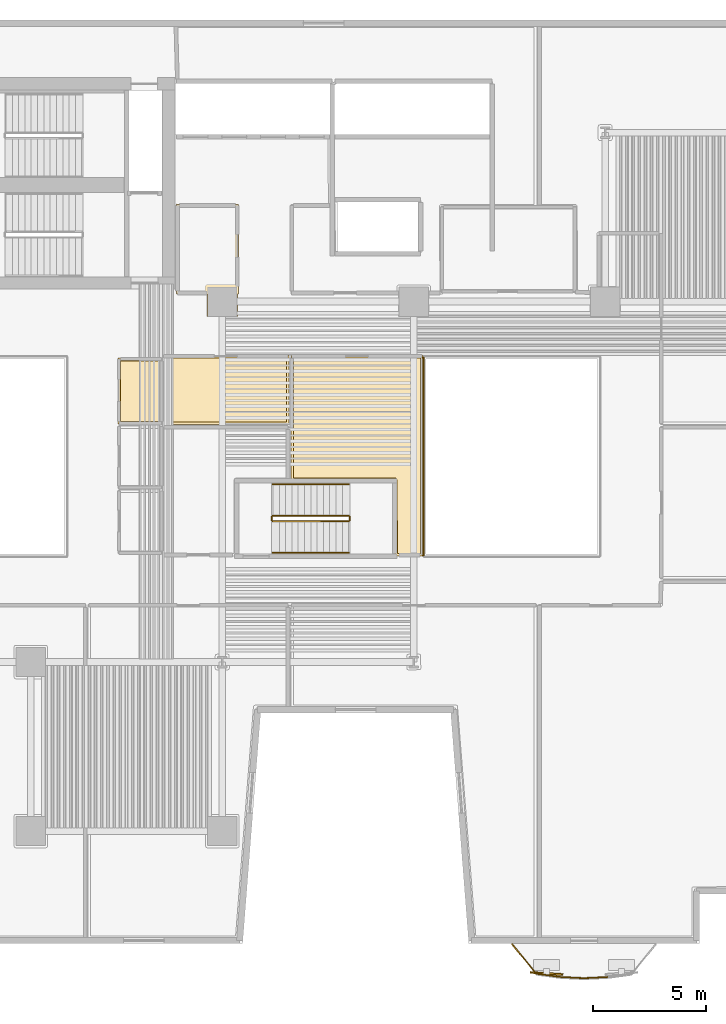
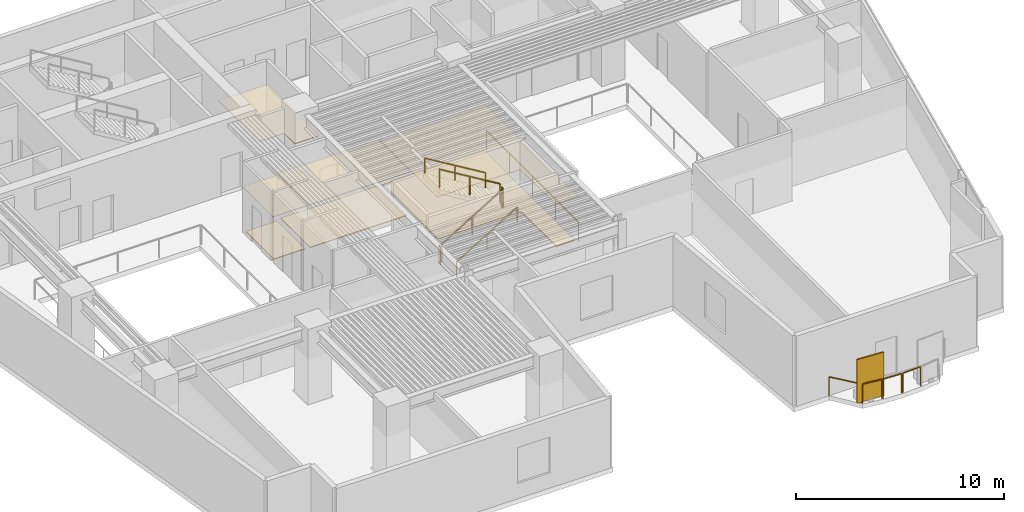
# One storey, part 9 of 12: 11 railings, 7 coverings, 1 shading device.
"""IFC4 building model written with IfcOpenShell, lengths in metres."""

from ifc_helpers import new_model, si_unit, direction, frame, origin, origin_2d, place, context, subcontext, project, spatial, polyline, rectangle, outline, extrude, material, layer, layer_set, type_object, element, save


model = new_model("IFC4")

# Units and contexts
model_context = context("Model", 3, precision=1e-05, world=origin(), true_north=direction((0.0, 1.0)))
body_context = subcontext(model_context, "Body", "Model", "MODEL_VIEW")
ifc_project = project(units=[si_unit("LENGTHUNIT", "METRE"), si_unit("AREAUNIT", "SQUARE_METRE"), si_unit("VOLUMEUNIT", "CUBIC_METRE"), si_unit("PLANEANGLEUNIT", "RADIAN"), si_unit("MASSUNIT", "GRAM", prefix="KILO")], contexts=[model_context])

# Site, building, storey
site_placement = place(None, origin())
site = spatial("IfcSite", under=ifc_project, at=site_placement, CompositionType="ELEMENT")
building_placement = place(site_placement, origin())
building = spatial("IfcBuilding", under=site, at=building_placement, Name="Caeloran Harvest Quay", CompositionType="ELEMENT")
storey_placement = place(building_placement, frame((0.0, 0.0, 79.800048828125)))
storey = spatial("IfcBuildingStorey", under=building, at=storey_placement, Name="L18", CompositionType="ELEMENT", Elevation=79.800048828125)

# Coverings
ifc_material_1 = material(Name="Perforated Mineral-Fibre Acoustic Ceiling Tile", Category="ceiling")
ifc_layer_1 = layer(ifc_material_1, 0.0400390625, Name="Perforated Mineral-Fibre Acoustic Ceiling Tile")
ifc_layer_set_1 = layer_set([ifc_layer_1], Name="Perforated Mineral-Fibre Acoustic Ceiling Tile")
covering_type_1 = type_object("IfcCoveringType", Name="COV-CEILING-ACOUSTIC", PredefinedType="CEILING", material=ifc_layer_set_1)
covering_1_placement = place(storey_placement, frame((0.0, 0.0, 2.599853515625)))
element("IfcCovering", 1, at=covering_1_placement, inside=storey, type_object=covering_type_1, Name="L18 Male Washroom WC Acoustic Ceiling", PredefinedType="CEILING", context=body_context, shape_type="SweptSolid", body=[
    extrude(outline(polyline([(22.840087890625, 25.56005859375), (20.8701171875, 25.56005859375), (20.8701171875, 28.489990234375), (22.840087890625, 28.489990234375), (22.840087890625, 25.56005859375)])), origin(), (0.0, 0.0, 1.0), 0.0400390625),
])
covering_2_placement = place(storey_placement, frame((0.0, 0.0, 2.599853515625)))
element("IfcCovering", 2, at=covering_2_placement, inside=storey, type_object=covering_type_1, Name="Culinary Harvest Tasting Kitchen 8 Acoustic Ceiling", PredefinedType="CEILING", context=body_context, shape_type="SweptSolid", body=[
    extrude(outline(polyline([(28.5400390625, 28.610107421875), (34.409912109375, 28.610107421875), (34.409912109375, 19.7099609375), (33.160400390625, 19.7099609375), (33.13037109375, 23.06005859375), (28.5400390625, 23.06005859375), (28.5400390625, 28.610107421875)])), origin(), (0.0, 0.0, 1.0), 0.0400390625),
])
covering_3_placement = place(storey_placement, frame((0.0, 0.0, 2.599853515625)))
element("IfcCovering", 3, at=covering_3_placement, inside=storey, type_object=covering_type_1, Name="Botanical Workshop Studio 9 Acoustic Ceiling", PredefinedType="CEILING", context=body_context, shape_type="SweptSolid", body=[
    extrude(outline(polyline([(22.8701171875, 28.512939453125), (22.85009765625, 28.52001953125), (22.85009765625, 28.610107421875), (28.4599609375, 28.610107421875), (28.4599609375, 25.5400390625), (22.8701171875, 25.5400390625), (22.8701171875, 28.512939453125)])), origin(), (0.0, 0.0, 1.0), 0.0400390625),
])
covering_4_placement = place(storey_placement, frame((0.0, 0.0, 2.599853515625)))
element("IfcCovering", 4, at=covering_4_placement, inside=storey, type_object=covering_type_1, Name="Sensory Fermentation Kitchen 10 Acoustic Ceiling", PredefinedType="CEILING", context=body_context, shape_type="SweptSolid", body=[
    extrude(outline(polyline([(26.169921875, 30.330078125), (24.830078125, 30.330078125), (24.830078125, 31.340087890625), (23.469970703125, 31.340087890625), (23.469970703125, 35.32861328125), (23.521728515625, 35.31005859375), (26.2099609375, 35.31005859375), (26.2099609375, 31.340087890625), (26.169921875, 31.340087890625), (26.169921875, 30.330078125)])), origin(), (0.0, 0.0, 1.0), 0.0400390625),
])
ifc_material_2 = material(Name="Calcium-Sulphate Raised Access Floor and Terrazzo Finish", Category="flooring")
ifc_layer_2 = layer(ifc_material_2, 0.050048828125, Name="Calcium-Sulphate Raised Access Floor and Terrazzo Finish")
ifc_layer_set_2 = layer_set([ifc_layer_2], Name="Calcium-Sulphate Raised Access Floor and Terrazzo Finish")
covering_type_2 = type_object("IfcCoveringType", Name="COV-FLOOR-RAISED", PredefinedType="FLOORING", material=ifc_layer_set_2)
covering_5_placement = place(storey_placement, origin())
element("IfcCovering", 5, at=covering_5_placement, inside=storey, type_object=covering_type_2, Name="L18 Male Washroom WC Raised Finish Flooring", PredefinedType="FLOORING", context=body_context, shape_type="SweptSolid", body=[
    extrude(outline(polyline([(22.719970703125, 25.679931640625), (20.989990234375, 25.679931640625), (20.989990234375, 28.3701171875), (22.719970703125, 28.3701171875), (22.719970703125, 25.679931640625)])), origin(), (0.0, 0.0, 1.0), 0.050048828125),
])
covering_6_placement = place(storey_placement, origin())
element("IfcCovering", 6, at=covering_6_placement, inside=storey, type_object=covering_type_2, Name="Culinary Harvest Tasting Kitchen 8 Raised Finish Flooring", PredefinedType="FLOORING", context=body_context, shape_type="SweptSolid", body=[
    extrude(outline(polyline([(28.659912109375, 28.489990234375), (34.2900390625, 28.489990234375), (34.2900390625, 19.830078125), (33.279296875, 19.830078125), (33.25, 23.1005859375), (33.20751953125, 23.170654296875), (28.659912109375, 23.179931640625), (28.659912109375, 28.489990234375)])), origin(), (0.0, 0.0, 1.0), 0.050048828125),
])
covering_7_placement = place(storey_placement, origin())
element("IfcCovering", 7, at=covering_7_placement, inside=storey, type_object=covering_type_2, Name="Botanical Workshop Studio 9 Raised Finish Flooring", PredefinedType="FLOORING", context=body_context, shape_type="SweptSolid", body=[
    extrude(outline(polyline([(22.989990234375, 28.489990234375), (28.340087890625, 28.489990234375), (28.340087890625, 25.659912109375), (22.989990234375, 25.659912109375), (22.989990234375, 28.489990234375)])), origin(), (0.0, 0.0, 1.0), 0.050048828125),
])

# Railings
ifc_material_3 = material(Name="Powder-Coated Steel Post and Laminated Glass Guardrail", Category="steel")
ifc_layer_3 = layer(ifc_material_3, 0.06005859375, Name="Powder-Coated Steel Post and Laminated Glass Guardrail")
ifc_layer_set_3 = layer_set([ifc_layer_3], Name="Powder-Coated Steel Post and Laminated Glass Guardrail")
railing_type_1 = type_object("IfcRailingType", Name="GUARD-ATRIUM-1150", PredefinedType="GUARDRAIL", material=ifc_layer_set_3)
railing_1_placement = place(storey_placement, frame((34.429931640625, 28.5380859375, 0.0)))
element("IfcRailing", 8, at=railing_1_placement, inside=storey, type_object=railing_type_1, Name="L18 East Botanical Lightwell Guardrail Seg 4", PredefinedType="GUARDRAIL", context=body_context, shape_type="SweptSolid", body=[
    extrude(rectangle(XDim=0.048095703125, YDim=0.048095703125, at=origin_2d()), frame((0.0, 0.0, 1.1259765625), z_axis=(0.0, -1.0, 0.0), x_axis=(1.0, 0.0, 0.0)), (0.0, 0.0, 1.0), 8.826171875),
    extrude(rectangle(XDim=0.0419921875, YDim=0.0419921875, at=origin_2d()), origin(), (0.0, 0.0, 1.0), 1.101806640625),
    extrude(rectangle(XDim=0.0419921875, YDim=0.0419921875, at=origin_2d()), frame((0.0, -2.20654296875, 0.0)), (0.0, 0.0, 1.0), 1.101806640625),
    extrude(rectangle(XDim=0.0419921875, YDim=0.0419921875, at=origin_2d()), frame((0.0, -4.4130859375, 0.0)), (0.0, 0.0, 1.0), 1.101806640625),
    extrude(rectangle(XDim=0.0419921875, YDim=0.0419921875, at=origin_2d()), frame((0.0, -6.61962890625, 0.0)), (0.0, 0.0, 1.0), 1.101806640625),
    extrude(rectangle(XDim=0.0419921875, YDim=0.0419921875, at=origin_2d()), frame((0.0, -8.826171875, 0.0)), (0.0, 0.0, 1.0), 1.101806640625),
])
ifc_material_4 = material(Name="Laminated Safety Glass and Stainless Steel 316", Category="steel")
ifc_layer_4 = layer(ifc_material_4, 0.06005859375, Name="Laminated Safety Glass and Stainless Steel 316")
ifc_layer_set_4 = layer_set([ifc_layer_4], Name="Laminated Safety Glass and Stainless Steel 316")
railing_type_2 = type_object("IfcRailingType", Name="GUARD-BALUSTRADE-1150", PredefinedType="BALUSTRADE", material=ifc_layer_set_4)
railing_2_placement = place(storey_placement, frame((42.5908203125, 1.02197265625, 0.0)))
element("IfcRailing", 9, at=railing_2_placement, inside=storey, type_object=railing_type_2, Name="L18 Planted Balcony Perimeter Balustrade Guard Seg 3", PredefinedType="BALUSTRADE", context=body_context, shape_type="SweptSolid", body=[
    extrude(rectangle(XDim=0.048095703125, YDim=0.048095703125, at=origin_2d()), frame((0.0, 0.0, 1.1259765625), z_axis=(-0.998738317733, -0.050217254931, 0.0), x_axis=(0.050217254931, -0.998738317733, 0.0)), (0.0, 0.0, 1.0), 1.00146484375),
    extrude(rectangle(XDim=0.0419921875, YDim=0.0419921875, at=origin_2d()), origin(), (0.0, 0.0, 1.0), 1.101806640625),
    extrude(rectangle(XDim=0.0419921875, YDim=0.0419921875, at=origin_2d()), frame((-1.000244140625, -0.05029296875, 0.0)), (0.0, 0.0, 1.0), 1.101806640625),
])
railing_3_placement = place(storey_placement, frame((41.526611328125, 0.9716796875, 0.0)))
element("IfcRailing", 10, at=railing_3_placement, inside=storey, type_object=railing_type_2, Name="L18 Planted Balcony Perimeter Balustrade Guard Seg 4", PredefinedType="BALUSTRADE", context=body_context, shape_type="SweptSolid", body=[
    extrude(rectangle(XDim=0.048095703125, YDim=0.048095703125, at=origin_2d()), frame((0.0, 0.0, 1.1259765625), z_axis=(-0.998738317733, 0.050217254931, 0.0), x_axis=(-0.050217254931, -0.998738317733, 0.0)), (0.0, 0.0, 1.0), 1.00146484375),
    extrude(rectangle(XDim=0.0419921875, YDim=0.0419921875, at=origin_2d()), origin(), (0.0, 0.0, 1.0), 1.101806640625),
    extrude(rectangle(XDim=0.0419921875, YDim=0.0419921875, at=origin_2d()), frame((-1.000244140625, 0.05029296875, 0.0)), (0.0, 0.0, 1.0), 1.101806640625),
])
railing_4_placement = place(storey_placement, frame((40.462646484375, 1.028076171875, 0.0)))
element("IfcRailing", 11, at=railing_4_placement, inside=storey, type_object=railing_type_2, Name="L18 Planted Balcony Perimeter Balustrade Guard Seg 5", PredefinedType="BALUSTRADE", context=body_context, shape_type="SweptSolid", body=[
    extrude(rectangle(XDim=0.048095703125, YDim=0.048095703125, at=origin_2d()), frame((0.0, 0.0, 1.1259765625), z_axis=(-0.99069880656, 0.136073049059, 0.0), x_axis=(-0.136073049059, -0.99069880656, 0.0)), (0.0, 0.0, 1.0), 1.010009765625),
    extrude(rectangle(XDim=0.0419921875, YDim=0.0419921875, at=origin_2d()), origin(), (0.0, 0.0, 1.0), 1.101806640625),
    extrude(rectangle(XDim=0.0419921875, YDim=0.0419921875, at=origin_2d()), frame((-1.000732421875, 0.137451171875, 0.0)), (0.0, 0.0, 1.0), 1.101806640625),
])
railing_5_placement = place(storey_placement, frame((39.409912109375, 1.19482421875, 0.0)))
element("IfcRailing", 12, at=railing_5_placement, inside=storey, type_object=railing_type_2, Name="L18 Planted Balcony Perimeter Balustrade Guard Seg 6", PredefinedType="BALUSTRADE", context=body_context, shape_type="SweptSolid", body=[
    extrude(rectangle(XDim=0.048095703125, YDim=0.048095703125, at=origin_2d()), frame((0.0, 0.0, 1.1259765625), z_axis=(-0.630503802953, 0.776186159669, 0.0), x_axis=(-0.776186159669, -0.630503802953, 0.0)), (0.0, 0.0, 1.0), 1.65576171875),
    extrude(rectangle(XDim=0.0419921875, YDim=0.0419921875, at=origin_2d()), origin(), (0.0, 0.0, 1.0), 1.101806640625),
    extrude(rectangle(XDim=0.0419921875, YDim=0.0419921875, at=origin_2d()), frame((-1.0439453125, 1.28515625, 0.0)), (0.0, 0.0, 1.0), 1.101806640625),
])

# Shading device
ifc_material_5 = material(Name="3003-H14 Perforated Powder-Coated Aluminium", Category="aluminium")
shading_device_type = type_object("IfcShadingDeviceType", Name="SHADE-SCREEN-FOLDED", PredefinedType="USERDEFINED", material=ifc_material_5)
shading_device_placement = place(storey_placement, frame((39.8984375, 1.179931640625, 0.07470703125), z_axis=(0.0, 0.0, 1.0), x_axis=(0.997801468292, -0.0662739004, 0.0)))
element("IfcShadingDevice", 13, at=shading_device_placement, inside=storey, type_object=shading_device_type, Name="L18 Folded Facade Breathing Screen 2", ObjectType="SCREEN", PredefinedType="USERDEFINED", context=body_context, shape_type="SweptSolid", body=[
    extrude(rectangle(XDim=1.449951171875, YDim=0.080078125, at=origin_2d()), origin(), (0.0, 0.0, 1.0), 2.550048828125),
])

# Railings
ifc_material_6 = material(Name="Painted Steel Baluster and Top-Rail Stair Guard", Category="steel")
ifc_layer_5 = layer(ifc_material_6, 0.050048828125, Name="Painted Steel Baluster and Top-Rail Stair Guard")
ifc_layer_set_5 = layer_set([ifc_layer_5], Name="Painted Steel Baluster and Top-Rail Stair Guard")
railing_type_3 = type_object("IfcRailingType", Name="STAIR-GUARD-1100", PredefinedType="GUARDRAIL", material=ifc_layer_set_5)
railing_6_placement = place(storey_placement, frame((27.75, 21.25, 0.169189453125)))
element("IfcRailing", 14, at=railing_6_placement, inside=storey, type_object=railing_type_3, Name="L18 ST-W1 stair guard 1", PredefinedType="GUARDRAIL", context=body_context, shape_type="SweptSolid", body=[
    extrude(rectangle(XDim=0.048095703125, YDim=0.048095703125, at=origin_2d()), frame((0.0, 0.0, 1.076171875), z_axis=(0.855836976705, 0.0, 0.517245656632), x_axis=(0.0, 1.0, 0.0)), (0.0, 0.0, 1.0), 3.926025390625),
    extrude(rectangle(XDim=0.0419921875, YDim=0.0419921875, at=origin_2d()), origin(), (0.0, 0.0, 1.0), 1.052001953125),
    extrude(rectangle(XDim=0.0419921875, YDim=0.0419921875, at=origin_2d()), frame((1.68017578125, 0.0, 1.015380859375)), (0.0, 0.0, 1.0), 1.052001953125),
    extrude(rectangle(XDim=0.0419921875, YDim=0.0419921875, at=origin_2d()), frame((3.360107421875, 0.0, 2.03076171875)), (0.0, 0.0, 1.0), 1.052001953125),
])
railing_7_placement = place(storey_placement, frame((31.159912109375, 21.300048828125, 2.199951171875)))
element("IfcRailing", 15, at=railing_7_placement, inside=storey, type_object=railing_type_3, Name="L18 ST-W1 stair guard 2", PredefinedType="GUARDRAIL", context=body_context, shape_type="SweptSolid", body=[
    extrude(rectangle(XDim=0.048095703125, YDim=0.048095703125, at=origin_2d()), frame((0.0, 0.0, 1.076171875), z_axis=(0.0, 1.0, 0.0), x_axis=(-1.0, 0.0, 0.0)), (0.0, 0.0, 1.0), 0.14990234375),
    extrude(rectangle(XDim=0.0419921875, YDim=0.0419921875, at=origin_2d()), origin(), (0.0, 0.0, 1.0), 1.052001953125),
    extrude(rectangle(XDim=0.0419921875, YDim=0.0419921875, at=origin_2d()), frame((0.0, 0.14990234375, 0.0)), (0.0, 0.0, 1.0), 1.052001953125),
])
railing_8_placement = place(storey_placement, frame((31.110107421875, 21.5, 2.369140625)))
element("IfcRailing", 16, at=railing_8_placement, inside=storey, type_object=railing_type_3, Name="L18 ST-W1 stair guard 3", PredefinedType="GUARDRAIL", context=body_context, shape_type="SweptSolid", body=[
    extrude(rectangle(XDim=0.048095703125, YDim=0.048095703125, at=origin_2d()), frame((0.0, 0.0, 1.076171875), z_axis=(-0.855836976705, 0.0, 0.517245656632), x_axis=(0.0, -1.0, 0.0)), (0.0, 0.0, 1.0), 3.926025390625),
    extrude(rectangle(XDim=0.0419921875, YDim=0.0419921875, at=origin_2d()), origin(), (0.0, 0.0, 1.0), 1.052001953125),
    extrude(rectangle(XDim=0.0419921875, YDim=0.0419921875, at=origin_2d()), frame((-1.68017578125, 0.0, 1.015380859375)), (0.0, 0.0, 1.0), 1.052001953125),
    extrude(rectangle(XDim=0.0419921875, YDim=0.0419921875, at=origin_2d()), frame((-3.360107421875, 0.0, 2.03076171875)), (0.0, 0.0, 1.0), 1.052001953125),
])
railing_9_placement = place(storey_placement, frame((27.699951171875, 21.300048828125, 0.0)))
element("IfcRailing", 17, at=railing_9_placement, inside=storey, type_object=railing_type_3, Name="L18 ST-W1 stair guard 4", PredefinedType="GUARDRAIL", context=body_context, shape_type="SweptSolid", body=[
    extrude(rectangle(XDim=0.048095703125, YDim=0.048095703125, at=origin_2d()), frame((0.0, 0.0, 1.076171875), z_axis=(0.0, 1.0, 0.0), x_axis=(-1.0, 0.0, 0.0)), (0.0, 0.0, 1.0), 0.14990234375),
    extrude(rectangle(XDim=0.0419921875, YDim=0.0419921875, at=origin_2d()), origin(), (0.0, 0.0, 1.0), 1.052001953125),
    extrude(rectangle(XDim=0.0419921875, YDim=0.0419921875, at=origin_2d()), frame((0.0, 0.14990234375, 0.0)), (0.0, 0.0, 1.0), 1.052001953125),
])
ifc_material_7 = material(Name="Brushed Stainless Steel Grade 304", Category="steel")
ifc_layer_6 = layer(ifc_material_7, 0.050048828125, Name="Brushed Stainless Steel Grade 304")
ifc_layer_set_6 = layer_set([ifc_layer_6], Name="Brushed Stainless Steel Grade 304")
railing_type_4 = type_object("IfcRailingType", Name="STAIR-HANDRAIL-900", PredefinedType="HANDRAIL", material=ifc_layer_set_6)
railing_10_placement = place(storey_placement, frame((27.75, 19.85009765625, 0.169189453125)))
element("IfcRailing", 18, at=railing_10_placement, inside=storey, type_object=railing_type_4, Name="L18 ST-W1 stair handrail 1", PredefinedType="HANDRAIL", context=body_context, shape_type="SweptSolid", body=[
    extrude(rectangle(XDim=0.048095703125, YDim=0.048095703125, at=origin_2d()), frame((0.0, 0.0, 0.8759765625), z_axis=(0.855836976705, 0.0, 0.517245656632), x_axis=(0.0, 1.0, 0.0)), (0.0, 0.0, 1.0), 3.926025390625),
    extrude(rectangle(XDim=0.0419921875, YDim=0.0419921875, at=origin_2d()), origin(), (0.0, 0.0, 1.0), 0.851806640625),
    extrude(rectangle(XDim=0.0419921875, YDim=0.0419921875, at=origin_2d()), frame((1.68017578125, 0.0, 1.015380859375)), (0.0, 0.0, 1.0), 0.851806640625),
    extrude(rectangle(XDim=0.0419921875, YDim=0.0419921875, at=origin_2d()), frame((3.360107421875, 0.0, 2.03076171875)), (0.0, 0.0, 1.0), 0.851806640625),
])
railing_11_placement = place(storey_placement, frame((31.110107421875, 22.89990234375, 2.369140625)))
element("IfcRailing", 19, at=railing_11_placement, inside=storey, type_object=railing_type_4, Name="L18 ST-W1 stair handrail 2", PredefinedType="HANDRAIL", context=body_context, shape_type="SweptSolid", body=[
    extrude(rectangle(XDim=0.048095703125, YDim=0.048095703125, at=origin_2d()), frame((0.0, 0.0, 0.8759765625), z_axis=(-0.855836976705, 0.0, 0.517245656632), x_axis=(0.0, -1.0, 0.0)), (0.0, 0.0, 1.0), 3.926025390625),
    extrude(rectangle(XDim=0.0419921875, YDim=0.0419921875, at=origin_2d()), origin(), (0.0, 0.0, 1.0), 0.851806640625),
    extrude(rectangle(XDim=0.0419921875, YDim=0.0419921875, at=origin_2d()), frame((-1.68017578125, 0.0, 1.015380859375)), (0.0, 0.0, 1.0), 0.851806640625),
    extrude(rectangle(XDim=0.0419921875, YDim=0.0419921875, at=origin_2d()), frame((-3.360107421875, 0.0, 2.03076171875)), (0.0, 0.0, 1.0), 0.851806640625),
])

save(model, "model.ifc")
